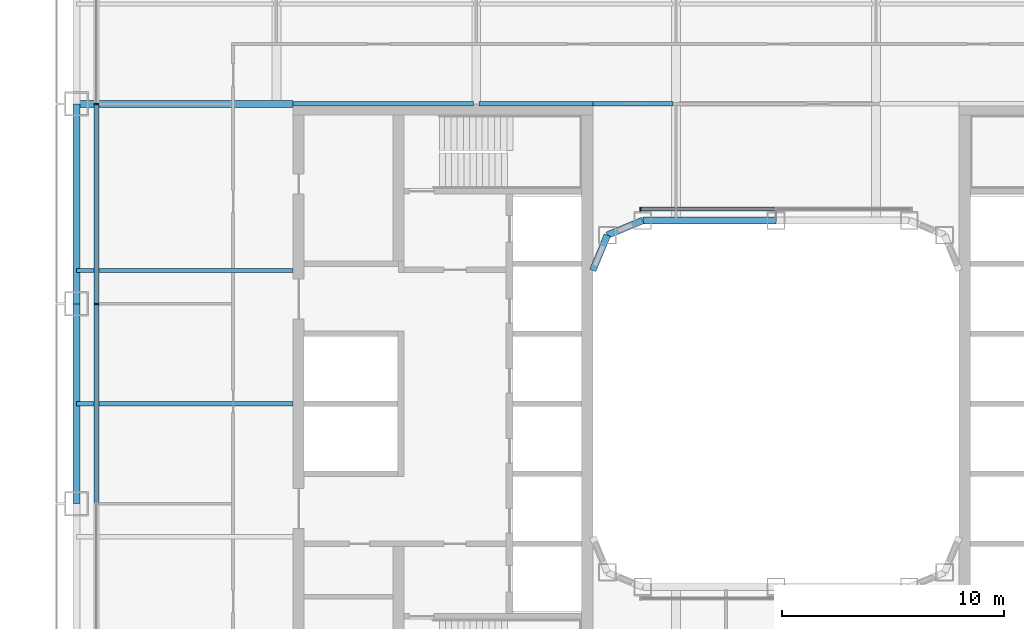
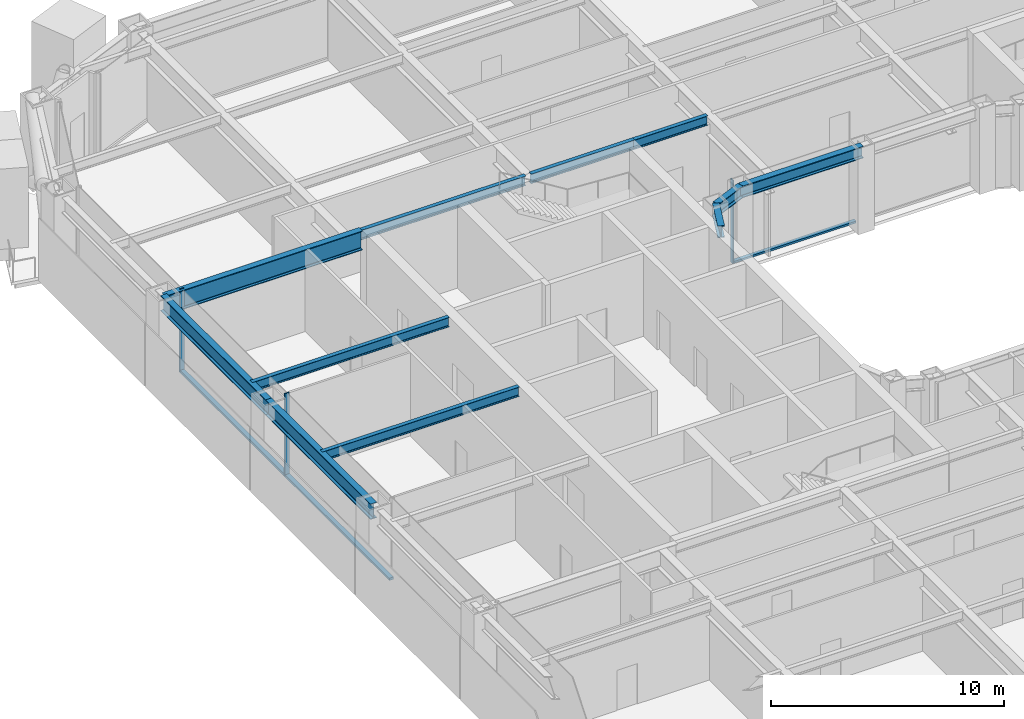
# One storey, part 6 of 28: 11 beams, 6 members, 2 elements without a shape of their own.
"""IFC4 building model written with IfcOpenShell, lengths in metres."""

from ifc_helpers import new_model, si_unit, direction, frame, origin, origin_2d, place, context, subcontext, project, spatial, rectangle, i_section, extrude, material, layer, layer_set, material_profile, profile_set, type_object, element, aggregate, save


model = new_model("IFC4")

# Units and contexts
model_context = context("Model", 3, precision=1e-05, world=origin(), true_north=direction((0.0, 1.0)))
body_context = subcontext(model_context, "Body", "Model", "MODEL_VIEW")
ifc_project = project(units=[si_unit("LENGTHUNIT", "METRE"), si_unit("AREAUNIT", "SQUARE_METRE"), si_unit("VOLUMEUNIT", "CUBIC_METRE"), si_unit("PLANEANGLEUNIT", "RADIAN"), si_unit("MASSUNIT", "GRAM", prefix="KILO")], contexts=[model_context])

# Site, building, storey
site_placement = place(None, origin())
site = spatial("IfcSite", under=ifc_project, at=site_placement, CompositionType="ELEMENT")
building_placement = place(site_placement, origin())
building = spatial("IfcBuilding", under=site, at=building_placement, Name="Siwar Civic Tower", CompositionType="ELEMENT")
storey_placement = place(building_placement, frame((0.0, 0.0, 31.199951171875)))
storey = spatial("IfcBuildingStorey", under=building, at=storey_placement, Name="L06", CompositionType="ELEMENT", Elevation=31.199951171875)

# Curtain wall, members
ifc_material_1 = material(Name="Aluminium and glass", Category="aluminium")
ifc_layer_1 = layer(ifc_material_1, 0.219970703125)
ifc_layer_set_1 = layer_set([ifc_layer_1], Name="Aluminium and glass")
curtain_wall_type_1 = type_object("IfcCurtainWallType", Name="ENV-CW-A", PredefinedType="NOTDEFINED", material=ifc_layer_set_1)
curtain_wall_1_placement = place(storey_placement, origin())
curtain_wall_1 = element("IfcCurtainWall", 1, at=curtain_wall_1_placement, inside=storey, type_object=curtain_wall_type_1, Name="Curtain wall A W", PredefinedType="NOTDEFINED")
ifc_material_2 = material(Name="Aluminium 6063-T6", Category="aluminium")
ifc_material_profile_1 = material_profile(ifc_material_2, rectangle(XDim=0.219970703125, YDim=0.070068359375, at=origin_2d()), Name="AL 220x70")
ifc_profile_set_1 = profile_set([ifc_material_profile_1], Name="Aluminium 6063-T6")
member_type_1 = type_object("IfcMemberType", Name="ENV-MULLION-A", PredefinedType="MULLION", material=ifc_profile_set_1)
member_1_placement = place(storey_placement, frame((-30.60009765625, 13.5, 0.0), z_axis=(0.0, 0.0, 1.0), x_axis=(1.0, 0.0, 0.0)))
member_1 = element("IfcMember", 2, at=member_1_placement, type_object=member_type_1, Name="Mullion A W 2", PredefinedType="MULLION", context=body_context, shape_type="SweptSolid", body=[
    extrude(rectangle(XDim=0.219970703125, YDim=0.070068359375, at=origin_2d()), origin(), (0.0, 0.0, 1.0), 4.35009765625),
])
member_2_placement = place(storey_placement, frame((-30.60009765625, 4.5, 0.0), z_axis=(0.0, 0.0, 1.0), x_axis=(1.0, 0.0, 0.0)))
member_2 = element("IfcMember", 3, at=member_2_placement, type_object=member_type_1, Name="Mullion A W 3", PredefinedType="MULLION", context=body_context, shape_type="SweptSolid", body=[
    extrude(rectangle(XDim=0.219970703125, YDim=0.070068359375, at=origin_2d()), origin(), (0.0, 0.0, 1.0), 4.35009765625),
])

# Curtain wall, member
ifc_material_3 = material(Name="Aluminium and glass", Category="aluminium")
ifc_layer_2 = layer(ifc_material_3, 0.179931640625)
ifc_layer_set_2 = layer_set([ifc_layer_2], Name="Aluminium and glass")
curtain_wall_type_2 = type_object("IfcCurtainWallType", Name="ENV-CW-W", PredefinedType="NOTDEFINED", material=ifc_layer_set_2)
curtain_wall_2_placement = place(storey_placement, origin())
curtain_wall_2 = element("IfcCurtainWall", 4, at=curtain_wall_2_placement, inside=storey, type_object=curtain_wall_type_2, Name="Curtain wall W WN", PredefinedType="NOTDEFINED")
ifc_material_4 = material(Name="Aluminium 6063-T6", Category="aluminium")
ifc_material_profile_2 = material_profile(ifc_material_4, rectangle(XDim=0.179931640625, YDim=0.06005859375, at=origin_2d()), Name="AL 180x60")
ifc_profile_set_2 = profile_set([ifc_material_profile_2], Name="Aluminium 6063-T6")
member_type_2 = type_object("IfcMemberType", Name="ENV-MULLION-W", PredefinedType="MULLION", material=ifc_profile_set_2)
member_3_placement = place(storey_placement, frame((-6.1015625, 8.760009765625, 0.0), z_axis=(0.0, 0.0, 1.0), x_axis=(0.0, -1.0, 0.0)))
member_3 = element("IfcMember", 5, at=member_3_placement, type_object=member_type_2, Name="Mullion W WN 3", PredefinedType="MULLION", context=body_context, shape_type="SweptSolid", body=[
    extrude(rectangle(XDim=0.179931640625, YDim=0.06005859375, at=origin_2d()), origin(), (0.0, 0.0, 1.0), 4.35009765625),
])

# Member
ifc_material_5 = material(Name="Aluminium 6063-T6", Category="aluminium")
ifc_material_profile_3 = material_profile(ifc_material_5, rectangle(XDim=0.219970703125, YDim=0.1201171875, at=origin_2d()), Name="AL 220x120")
ifc_profile_set_3 = profile_set([ifc_material_profile_3], Name="Aluminium 6063-T6")
member_type_3 = type_object("IfcMemberType", Name="ENV-TRANSOM-A", PredefinedType="USERDEFINED", material=ifc_profile_set_3)
member_4_placement = place(storey_placement, frame((-30.60009765625, 13.465087890625, 0.06005859375), z_axis=(0.0, -1.0, 0.0), x_axis=(1.0, 0.0, 0.0)))
member_4 = element("IfcMember", 6, at=member_4_placement, type_object=member_type_3, Name="Transom A W 2", ObjectType="TRANSOM", PredefinedType="USERDEFINED", context=body_context, shape_type="SweptSolid", body=[
    extrude(rectangle(XDim=0.219970703125, YDim=0.1201171875, at=origin_2d()), origin(), (0.0, 0.0, 1.0), 8.93017578125),
])

member_5_placement = place(storey_placement, frame((-30.60009765625, 4.465087890625, 0.06005859375), z_axis=(0.0, -1.0, 0.0), x_axis=(1.0, 0.0, 0.0)))
member_5 = element("IfcMember", 7, at=member_5_placement, type_object=member_type_3, Name="Transom A W 3", ObjectType="TRANSOM", PredefinedType="USERDEFINED", context=body_context, shape_type="SweptSolid", body=[
    extrude(rectangle(XDim=0.219970703125, YDim=0.1201171875, at=origin_2d()), origin(), (0.0, 0.0, 1.0), 8.93017578125),
])

aggregate(curtain_wall_1, [member_1, member_2, member_4, member_5])

ifc_material_6 = material(Name="Aluminium 6063-T6", Category="aluminium")
ifc_material_profile_4 = material_profile(ifc_material_6, rectangle(XDim=0.179931640625, YDim=0.10009765625, at=origin_2d()), Name="AL 180x100")
ifc_profile_set_4 = profile_set([ifc_material_profile_4], Name="Aluminium 6063-T6")
member_type_4 = type_object("IfcMemberType", Name="ENV-TRANSOM-W", PredefinedType="USERDEFINED", material=ifc_profile_set_4)
member_6_placement = place(storey_placement, frame((-0.030029296875, 8.760009765625, 0.050048828125), z_axis=(-1.0, 0.0, 0.0), x_axis=(0.0, -1.0, 0.0)))
member_6 = element("IfcMember", 8, at=member_6_placement, type_object=member_type_4, Name="Transom W WN 2", ObjectType="TRANSOM", PredefinedType="USERDEFINED", context=body_context, shape_type="SweptSolid", body=[
    extrude(rectangle(XDim=0.179931640625, YDim=0.10009765625, at=origin_2d()), origin(), (0.0, 0.0, 1.0), 6.04150390625),
])

aggregate(curtain_wall_2, [member_3, member_6])

# Beams
ifc_material_7 = material(Name="Steel S355", Category="steel")
ifc_material_profile_5 = material_profile(ifc_material_7, i_section(OverallWidth=0.199951171875, OverallDepth=0.5, WebThickness=0.01025390625, FlangeThickness=0.01611328125, FilletRadius=0.02099609375, at=origin_2d()), Name="IPE500")
ifc_profile_set_5 = profile_set([ifc_material_profile_5], Name="Steel S355")
beam_type_1 = type_object("IfcBeamType", Name="STR-FB-IPE500", PredefinedType="JOIST", material=ifc_profile_set_5)
for number, where, z_axis, x_axis, name in (
    (9, (-31.5, 0.0, 4.10009765625), (1.0, 0.0, 0.0), (0.0, 1.0, 0.0), "L06/bm/F033"),
    (10, (-31.5, 6.0, 4.10009765625), (1.0, 0.0, 0.0), (0.0, 1.0, 0.0), "L06/bm/F035"),
):
    element("IfcBeam", number, at=place(storey_placement, frame(where, z_axis=z_axis, x_axis=x_axis)), inside=storey, type_object=beam_type_1, Name=name, PredefinedType="JOIST", context=body_context, shape_type="SweptSolid", body=[
        extrude(i_section(OverallWidth=0.199951171875, OverallDepth=0.5, WebThickness=0.01025390625, FlangeThickness=0.01611328125, FilletRadius=0.02099609375, at=origin_2d()), origin(), (0.0, 0.0, 1.0), 9.75),
    ])
beam_1_placement = place(storey_placement, frame((-21.75, 13.5, 4.10009765625), z_axis=(1.0, 0.0, 0.0), x_axis=(0.0, 1.0, 0.0)))
element("IfcBeam", 11, at=beam_1_placement, inside=storey, type_object=beam_type_1, Name="L06/bm/F038", PredefinedType="JOIST", context=body_context, shape_type="SweptSolid", body=[
    extrude(i_section(OverallWidth=0.199951171875, OverallDepth=0.5, WebThickness=0.01025390625, FlangeThickness=0.01611328125, FilletRadius=0.02099609375, at=origin_2d()), origin(), (0.0, 0.0, 1.0), 8.1201171875),
])
beam_2_placement = place(storey_placement, frame((-13.3701171875, 13.5, 4.10009765625), z_axis=(1.0, 0.0, 0.0), x_axis=(0.0, 1.0, 0.0)))
element("IfcBeam", 12, at=beam_2_placement, inside=storey, type_object=beam_type_1, Name="L06/bm/F039", PredefinedType="JOIST", context=body_context, shape_type="SweptSolid", body=[
    extrude(i_section(OverallWidth=0.199951171875, OverallDepth=0.5, WebThickness=0.01025390625, FlangeThickness=0.01611328125, FilletRadius=0.02099609375, at=origin_2d()), origin(), (0.0, 0.0, 1.0), 5.1201171875),
])
beam_3_placement = place(storey_placement, frame((-8.25, 13.5, 4.10009765625), z_axis=(1.0, 0.0, 0.0), x_axis=(0.0, 1.0, 0.0)))
element("IfcBeam", 13, at=beam_3_placement, inside=storey, type_object=beam_type_1, Name="L06/bm/F040", PredefinedType="JOIST", context=body_context, shape_type="SweptSolid", body=[
    extrude(i_section(OverallWidth=0.199951171875, OverallDepth=0.5, WebThickness=0.01025390625, FlangeThickness=0.01611328125, FilletRadius=0.02099609375, at=origin_2d()), origin(), (0.0, 0.0, 1.0), 3.6201171875),
])
ifc_material_8 = material(Name="Steel S355", Category="steel")
ifc_material_profile_6 = material_profile(ifc_material_8, i_section(OverallWidth=0.300048828125, OverallDepth=1.0, WebThickness=0.01904296875, FlangeThickness=0.035888671875, FilletRadius=0.030029296875, at=origin_2d()), Name="HEB1000")
ifc_profile_set_6 = profile_set([ifc_material_profile_6], Name="Steel S355")
beam_type_2 = type_object("IfcBeamType", Name="STR-PG-HEB1000", PredefinedType="BEAM", material=ifc_profile_set_6)
beam_4_placement = place(storey_placement, frame((-31.5, 13.5, 3.85009765625), z_axis=(1.0, 0.0, 0.0), x_axis=(0.0, 1.0, 0.0)))
element("IfcBeam", 14, at=beam_4_placement, inside=storey, type_object=beam_type_2, Name="L06/bm/F037", PredefinedType="BEAM", context=body_context, shape_type="SweptSolid", body=[
    extrude(i_section(OverallWidth=0.300048828125, OverallDepth=1.0, WebThickness=0.01904296875, FlangeThickness=0.035888671875, FilletRadius=0.030029296875, at=origin_2d()), origin(), (0.0, 0.0, 1.0), 9.75),
])
ifc_material_9 = material(Name="Steel S355", Category="steel")
ifc_material_profile_7 = material_profile(ifc_material_9, i_section(OverallWidth=0.304931640625, OverallDepth=0.6201171875, WebThickness=0.02099609375, FlangeThickness=0.0400390625, FilletRadius=0.027099609375, at=origin_2d()), Name="HEM600")
ifc_profile_set_7 = profile_set([ifc_material_profile_7], Name="Steel S355")
beam_type_3 = type_object("IfcBeamType", Name="STR-RB-HEM600", PredefinedType="BEAM", material=ifc_profile_set_7)
beam_5_placement = place(storey_placement, frame((-7.591064453125, 7.591064453125, 4.0400390625), z_axis=(0.923901072997, 0.382631424892, 0.0), x_axis=(-0.382631424892, 0.923901072997, 0.0)))
element("IfcBeam", 15, at=beam_5_placement, inside=storey, type_object=beam_type_3, Name="L06/bm/RN0", PredefinedType="BEAM", context=body_context, shape_type="SweptSolid", body=[
    extrude(i_section(OverallWidth=0.304931640625, OverallDepth=0.6201171875, WebThickness=0.02099609375, FlangeThickness=0.0400390625, FilletRadius=0.027099609375, at=origin_2d()), origin(), (0.0, 0.0, 1.0), 1.72216796875),
])
beam_6_placement = place(storey_placement, frame((-6.0, 8.25, 4.0400390625), z_axis=(1.0, 0.0, 0.0), x_axis=(0.0, 1.0, 0.0)))
element("IfcBeam", 16, at=beam_6_placement, inside=storey, type_object=beam_type_3, Name="L06/bm/RN1", PredefinedType="BEAM", context=body_context, shape_type="SweptSolid", body=[
    extrude(i_section(OverallWidth=0.304931640625, OverallDepth=0.6201171875, WebThickness=0.02099609375, FlangeThickness=0.0400390625, FilletRadius=0.027099609375, at=origin_2d()), origin(), (0.0, 0.0, 1.0), 6.0),
])
beam_7_placement = place(storey_placement, frame((-7.591064453125, 7.591064453125, 4.0400390625), z_axis=(-0.382631424892, -0.923901072997, 0.0), x_axis=(0.923901072997, -0.382631424892, 0.0)))
element("IfcBeam", 17, at=beam_7_placement, inside=storey, type_object=beam_type_3, Name="L06/bm/RNEW", PredefinedType="BEAM", context=body_context, shape_type="SweptSolid", body=[
    extrude(i_section(OverallWidth=0.304931640625, OverallDepth=0.6201171875, WebThickness=0.02099609375, FlangeThickness=0.0400390625, FilletRadius=0.027099609375, at=origin_2d()), origin(), (0.0, 0.0, 1.0), 1.72216796875),
])
ifc_material_10 = material(Name="Steel S355", Category="steel")
ifc_material_profile_8 = material_profile(ifc_material_10, i_section(OverallWidth=0.302978515625, OverallDepth=0.81396484375, WebThickness=0.02099609375, FlangeThickness=0.0400390625, FilletRadius=0.030029296875, at=origin_2d()), Name="HEM800")
ifc_profile_set_8 = profile_set([ifc_material_profile_8], Name="Steel S355")
beam_type_4 = type_object("IfcBeamType", Name="STR-SB-HEM800", PredefinedType="BEAM", material=ifc_profile_set_8)
for number, where, z_axis, x_axis, name in (
    (18, (-31.5, 13.5, 3.943115234375), (0.0, -1.0, 0.0), (1.0, 0.0, 0.0), "L06/bm/SW-1"),
    (19, (-31.5, 4.5, 3.943115234375), (0.0, -1.0, 0.0), (1.0, 0.0, 0.0), "L06/bm/SW-2"),
):
    element("IfcBeam", number, at=place(storey_placement, frame(where, z_axis=z_axis, x_axis=x_axis)), inside=storey, type_object=beam_type_4, Name=name, PredefinedType="BEAM", context=body_context, shape_type="SweptSolid", body=[
        extrude(i_section(OverallWidth=0.302978515625, OverallDepth=0.81396484375, WebThickness=0.02099609375, FlangeThickness=0.0400390625, FilletRadius=0.030029296875, at=origin_2d()), origin(), (0.0, 0.0, 1.0), 9.0),
    ])

save(model, "model.ifc")
